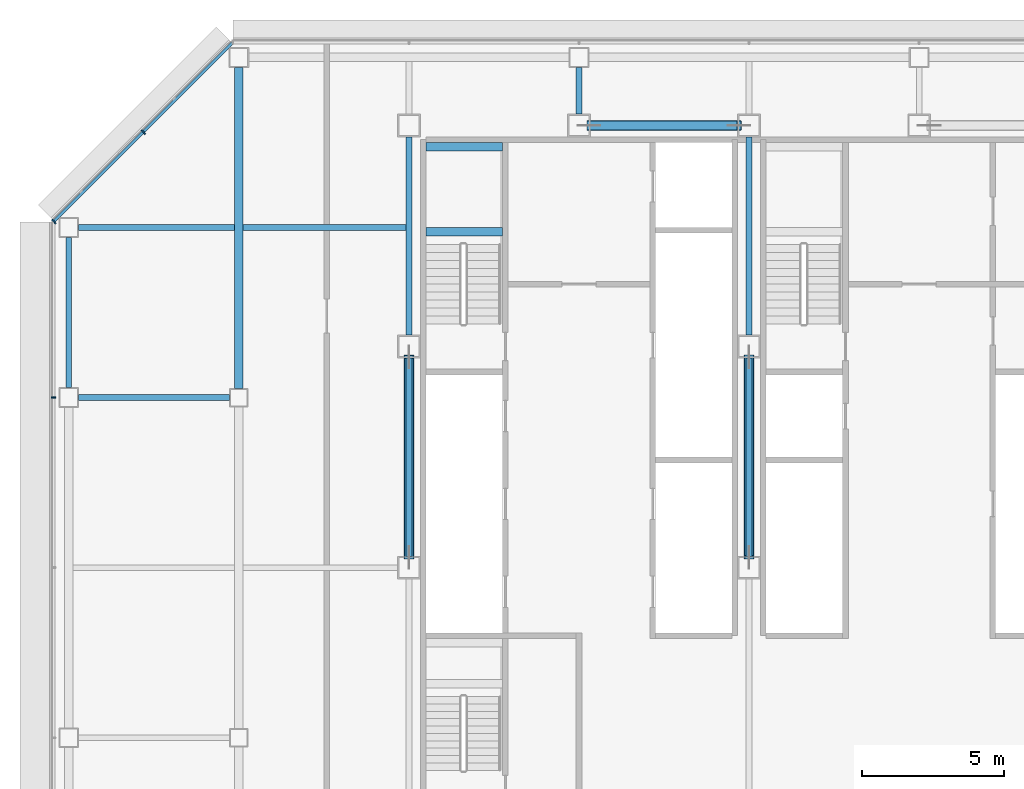
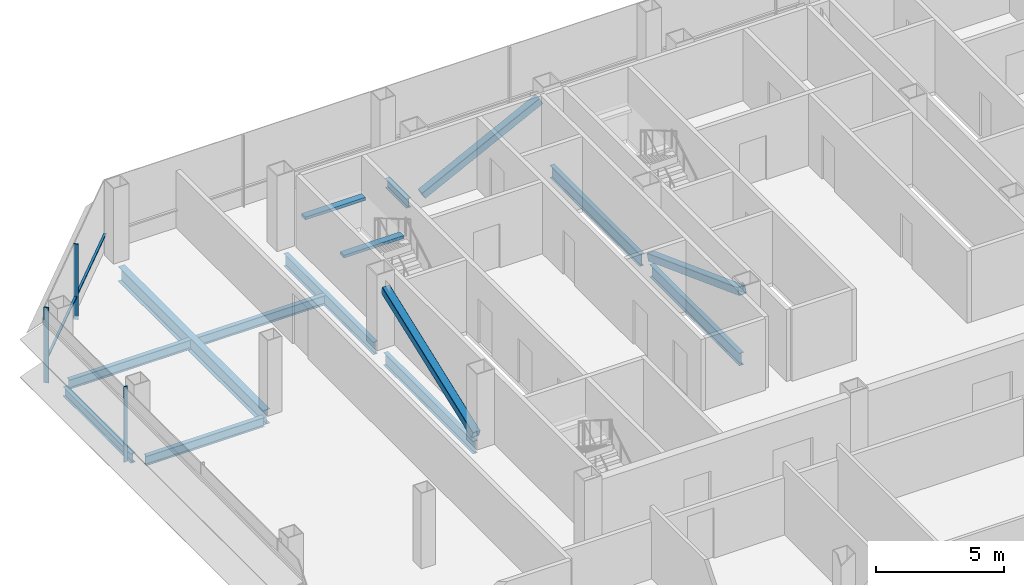
# One storey, part 11 of 26: 12 beams, 7 members, 2 elements without a shape of their own.
"""IFC4 building model written with IfcOpenShell, lengths in metres."""

from ifc_helpers import new_model, si_unit, direction, frame, origin, origin_2d, place, context, subcontext, project, spatial, rectangle, hollow_rectangle, i_section, extrude, material, material_profile, profile_set, type_object, element, aggregate, save


model = new_model("IFC4")

# Units and contexts
model_context = context("Model", 3, precision=1e-05, world=origin(), true_north=direction((0.0, 1.0)))
body_context = subcontext(model_context, "Body", "Model", "MODEL_VIEW")
ifc_project = project(units=[si_unit("LENGTHUNIT", "METRE"), si_unit("AREAUNIT", "SQUARE_METRE"), si_unit("VOLUMEUNIT", "CUBIC_METRE"), si_unit("PLANEANGLEUNIT", "RADIAN"), si_unit("MASSUNIT", "GRAM", prefix="KILO")], contexts=[model_context])

# Site, building, storey
site_placement = place(None, origin())
site = spatial("IfcSite", under=ifc_project, at=site_placement, CompositionType="ELEMENT")
building_placement = place(site_placement, origin())
building = spatial("IfcBuilding", under=site, at=building_placement, Name="Sorahane Residences", CompositionType="ELEMENT")
storey_placement = place(building_placement, frame((0.0, 0.0, 151.0)))
storey = spatial("IfcBuildingStorey", under=building, at=storey_placement, Name="L34", CompositionType="ELEMENT", Elevation=151.0)

# Members
ifc_material_1 = material(Name="Steel Q355B", Category="steel")
ifc_material_profile_1 = material_profile(ifc_material_1, hollow_rectangle(XDim=0.35009765625, YDim=0.35009765625, WallThickness=0.01806640625, InnerFilletRadius=0.009033203125, OuterFilletRadius=0.027099609375, at=origin_2d()), Name="RHS 350x350x18")
ifc_profile_set_1 = profile_set([ifc_material_profile_1], Name="Steel Q355B")
member_type_1 = type_object("IfcMemberType", Name="Core brace RHS 350x350x18 Q355B", PredefinedType="BRACE", material=ifc_profile_set_1)
member_1_placement = place(storey_placement, frame((12.352783203125, 45.60009765625, 0.151123046875), z_axis=(0.893039246852, 0.0, 0.449978781258), x_axis=(0.0, 1.0, 0.0)))
element("IfcMember", 1, at=member_1_placement, inside=storey, type_object=member_type_1, Name="Core brace L34 y45.6-2", PredefinedType="BRACE", context=body_context, shape_type="SweptSolid", body=[
    extrude(hollow_rectangle(XDim=0.35009765625, YDim=0.35009765625, WallThickness=0.01806640625, InnerFilletRadius=0.009033203125, OuterFilletRadius=0.027099609375, at=origin_2d()), origin(), (0.0, 0.0, 1.0), 5.928466796875),
])
for number, where, z_axis, x_axis, name in (
    (2, (6.0, 30.36328125, 0.1611328125), (0.0, 0.936540224974, 0.350560133222), (-1.0, 0.0, 0.0), "Core brace L34 x6-2"),
    (3, (18.0, 37.436767578125, 0.1611328125), (0.0, -0.936540224974, 0.350560133222), (1.0, 0.0, 0.0), "Core brace L34 x18-1"),
):
    element("IfcMember", number, at=place(storey_placement, frame(where, z_axis=z_axis, x_axis=x_axis)), inside=storey, type_object=member_type_1, Name=name, PredefinedType="BRACE", context=body_context, shape_type="SweptSolid", body=[
        extrude(hollow_rectangle(XDim=0.35009765625, YDim=0.35009765625, WallThickness=0.01806640625, InnerFilletRadius=0.009033203125, OuterFilletRadius=0.027099609375, at=origin_2d()), origin(), (0.0, 0.0, 1.0), 7.552734375),
    ])

# Curtain wall, member
ifc_material_2 = material(Name="Dark low-e glass and black anodised aluminium", Category="aluminium")
curtain_wall_type_1 = type_object("IfcCurtainWallType", Name="Curtain wall CW-1 Typical unitised wall", PredefinedType="NOTDEFINED", material=ifc_material_2)
curtain_wall_1_placement = place(storey_placement, origin())
curtain_wall_1 = element("IfcCurtainWall", 4, at=curtain_wall_1_placement, inside=storey, type_object=curtain_wall_type_1, Name="CW-1 curtain wall L34 W1", PredefinedType="NOTDEFINED")
ifc_material_3 = material(Name="Black anodised aluminium", Category="aluminium")
ifc_material_profile_2 = material_profile(ifc_material_3, rectangle(XDim=0.159912109375, YDim=0.050048828125, at=origin_2d()), Name="Curtain wall mullion CW-1 black anodised aluminium 50x160")
ifc_profile_set_2 = profile_set([ifc_material_profile_2], Name="Black anodised aluminium")
member_type_2 = type_object("IfcMemberType", Name="Curtain wall mullion CW-1 black anodised aluminium 50x160", PredefinedType="MULLION", material=ifc_profile_set_2)
member_2_placement = place(storey_placement, frame((-6.5400390625, 36.0, -0.179931640625), z_axis=(0.0, 0.0, 1.0), x_axis=(-1.0, 0.0, 0.0)))
member_2 = element("IfcMember", 5, at=member_2_placement, type_object=member_type_2, Name="CW-1 mullion L34 W1.2", PredefinedType="MULLION", context=body_context, shape_type="SweptSolid", body=[
    extrude(rectangle(XDim=0.159912109375, YDim=0.050048828125, at=origin_2d()), origin(), (0.0, 0.0, 1.0), 3.599853515625),
])
aggregate(curtain_wall_1, [member_2])

# Curtain wall, members
ifc_material_4 = material(Name="Dark low-e glass and black anodised aluminium", Category="aluminium")
curtain_wall_type_2 = type_object("IfcCurtainWallType", Name="Curtain wall CW-2 Chamfer unitised wall", PredefinedType="NOTDEFINED", material=ifc_material_4)
curtain_wall_2_placement = place(storey_placement, origin())
curtain_wall_2 = element("IfcCurtainWall", 6, at=curtain_wall_2_placement, inside=storey, type_object=curtain_wall_type_2, Name="CW-2 curtain wall L34 NW1", PredefinedType="NOTDEFINED")
ifc_material_5 = material(Name="Black anodised aluminium", Category="aluminium")
ifc_material_profile_3 = material_profile(ifc_material_5, rectangle(XDim=0.199951171875, YDim=0.050048828125, at=origin_2d()), Name="Curtain wall mullion CW-2 black anodised aluminium 50x200")
ifc_profile_set_3 = profile_set([ifc_material_profile_3], Name="Black anodised aluminium")
member_type_3 = type_object("IfcMemberType", Name="Curtain wall mullion CW-2 black anodised aluminium 50x200", PredefinedType="MULLION", material=ifc_profile_set_3)
member_3_placement = place(storey_placement, frame((-3.36767578125, 45.36767578125, -0.179931640625), z_axis=(0.0, 0.0, 1.0), x_axis=(-0.707106781187, 0.707106781187, 0.0)))
member_3 = element("IfcMember", 7, at=member_3_placement, type_object=member_type_3, Name="CW-2 mullion L34 NW1.2", PredefinedType="MULLION", context=body_context, shape_type="SweptSolid", body=[
    extrude(rectangle(XDim=0.199951171875, YDim=0.050048828125, at=origin_2d()), origin(), (0.0, 0.0, 1.0), 3.599853515625),
])
member_4_placement = place(storey_placement, frame((-6.525634765625, 42.209716796875, -0.179931640625), z_axis=(0.0, 0.0, 1.0), x_axis=(-0.707106781187, 0.707106781187, 0.0)))
member_4 = element("IfcMember", 8, at=member_4_placement, type_object=member_type_3, Name="CW-2 mullion L34 NW1.3", PredefinedType="MULLION", context=body_context, shape_type="SweptSolid", body=[
    extrude(rectangle(XDim=0.199951171875, YDim=0.050048828125, at=origin_2d()), origin(), (0.0, 0.0, 1.0), 3.599853515625),
])
ifc_material_6 = material(Name="Black anodised aluminium", Category="aluminium")
ifc_material_profile_4 = material_profile(ifc_material_6, rectangle(XDim=0.10009765625, YDim=0.06005859375, at=origin_2d()), Name="Curtain wall transom CW-2 black anodised aluminium 60x100")
ifc_profile_set_4 = profile_set([ifc_material_profile_4], Name="Black anodised aluminium")
member_type_4 = type_object("IfcMemberType", Name="Curtain wall transom CW-2 black anodised aluminium 60x100", PredefinedType="USERDEFINED", material=ifc_profile_set_4)
member_5_placement = place(storey_placement, frame((-0.234375, 48.51513671875, 0.89990234375), z_axis=(-0.707106781187, -0.707106781187, 0.0), x_axis=(0.707106781187, -0.707106781187, 0.0)))
member_5 = element("IfcMember", 9, at=member_5_placement, type_object=member_type_4, Name="CW-2 transom L34 NW1", ObjectType="TRANSOM", PredefinedType="USERDEFINED", context=body_context, shape_type="SweptSolid", body=[
    extrude(rectangle(XDim=0.10009765625, YDim=0.06005859375, at=origin_2d()), origin(), (0.0, 0.0, 1.0), 8.88232421875),
])
aggregate(curtain_wall_2, [member_3, member_4, member_5])

# Beams
ifc_material_7 = material(Name="Concrete C40", Category="concrete")
ifc_material_profile_5 = material_profile(ifc_material_7, rectangle(XDim=0.300048828125, YDim=0.139892578125, at=origin_2d()), Name="300x140")
ifc_profile_set_5 = profile_set([ifc_material_profile_5], Name="Concrete C40")
beam_type_1 = type_object("IfcBeamType", Name="RC landing beam 300 x 140 Concrete C40", PredefinedType="BEAM", material=ifc_profile_set_5)
for number, where, z_axis, x_axis, name in (
    (10, (6.60009765625, 41.85009765625, 1.530029296875), (1.0, 0.0, 0.0), (0.0, 1.0, 0.0), "Landing beam"),
    (11, (6.60009765625, 44.85009765625, 1.530029296875), (1.0, 0.0, 0.0), (0.0, 1.0, 0.0), "Landing beam"),
):
    element("IfcBeam", number, at=place(storey_placement, frame(where, z_axis=z_axis, x_axis=x_axis)), inside=storey, type_object=beam_type_1, Name=name, PredefinedType="BEAM", context=body_context, shape_type="SweptSolid", body=[
        extrude(rectangle(XDim=0.300048828125, YDim=0.139892578125, at=origin_2d()), origin(), (0.0, 0.0, 1.0), 2.699951171875),
    ])
ifc_material_8 = material(Name="Steel Q355B", Category="steel")
ifc_material_profile_6 = material_profile(ifc_material_8, i_section(OverallWidth=0.199951171875, OverallDepth=0.449951171875, WebThickness=0.009033203125, FlangeThickness=0.013916015625, FilletRadius=0.02001953125, at=origin_2d()), Name="HN 450x200x9x14")
ifc_profile_set_6 = profile_set([ifc_material_profile_6], Name="Steel Q355B")
beam_type_2 = type_object("IfcBeamType", Name="Steel floor beam HN 450x200x9x14 Q355B", PredefinedType="BEAM", material=ifc_profile_set_6)
beam_1_placement = place(storey_placement, frame((-5.64990234375, 36.0, -0.405029296875), z_axis=(1.0, 0.0, 0.0), x_axis=(0.0, 1.0, 0.0)))
element("IfcBeam", 12, at=beam_1_placement, inside=storey, type_object=beam_type_2, Name="Beam L34 013", PredefinedType="BEAM", context=body_context, shape_type="SweptSolid", body=[
    extrude(i_section(OverallWidth=0.199951171875, OverallDepth=0.449951171875, WebThickness=0.009033203125, FlangeThickness=0.013916015625, FilletRadius=0.02001953125, at=origin_2d()), origin(), (0.0, 0.0, 1.0), 5.324951171875),
])
beam_2_placement = place(storey_placement, frame((-6.0, 36.35009765625, -0.405029296875), z_axis=(0.0, 1.0, 0.0), x_axis=(-1.0, 0.0, 0.0)))
element("IfcBeam", 13, at=beam_2_placement, inside=storey, type_object=beam_type_2, Name="Beam L34 023", PredefinedType="BEAM", context=body_context, shape_type="SweptSolid", body=[
    extrude(i_section(OverallWidth=0.199951171875, OverallDepth=0.449951171875, WebThickness=0.009033203125, FlangeThickness=0.013916015625, FilletRadius=0.02001953125, at=origin_2d()), origin(), (0.0, 0.0, 1.0), 5.2998046875),
])
beam_3_placement = place(storey_placement, frame((12.0, 46.0, -0.405029296875), z_axis=(0.0, 1.0, 0.0), x_axis=(-1.0, 0.0, 0.0)))
element("IfcBeam", 14, at=beam_3_placement, inside=storey, type_object=beam_type_2, Name="Beam L34 035", PredefinedType="BEAM", context=body_context, shape_type="SweptSolid", body=[
    extrude(i_section(OverallWidth=0.199951171875, OverallDepth=0.449951171875, WebThickness=0.009033203125, FlangeThickness=0.013916015625, FilletRadius=0.02001953125, at=origin_2d()), origin(), (0.0, 0.0, 1.0), 1.64990234375),
])
beam_4_placement = place(storey_placement, frame((-5.64990234375, 42.0, -0.405029296875), z_axis=(1.0, 0.0, 0.0), x_axis=(0.0, 1.0, 0.0)))
element("IfcBeam", 15, at=beam_4_placement, inside=storey, type_object=beam_type_2, Name="Beam L34 089", PredefinedType="BEAM", context=body_context, shape_type="SweptSolid", body=[
    extrude(i_section(OverallWidth=0.199951171875, OverallDepth=0.449951171875, WebThickness=0.009033203125, FlangeThickness=0.013916015625, FilletRadius=0.02001953125, at=origin_2d()), origin(), (0.0, 0.0, 1.0), 5.5),
])
beam_5_placement = place(storey_placement, frame((0.14990234375, 42.0, -0.405029296875), z_axis=(1.0, 0.0, 0.0), x_axis=(0.0, 1.0, 0.0)))
element("IfcBeam", 16, at=beam_5_placement, inside=storey, type_object=beam_type_2, Name="Beam L34 090", PredefinedType="BEAM", context=body_context, shape_type="SweptSolid", body=[
    extrude(i_section(OverallWidth=0.199951171875, OverallDepth=0.449951171875, WebThickness=0.009033203125, FlangeThickness=0.013916015625, FilletRadius=0.02001953125, at=origin_2d()), origin(), (0.0, 0.0, 1.0), 5.75),
])
ifc_material_9 = material(Name="Steel Q355B", Category="steel")
ifc_material_profile_7 = material_profile(ifc_material_9, i_section(OverallWidth=0.199951171875, OverallDepth=0.60009765625, WebThickness=0.010986328125, FlangeThickness=0.01708984375, FilletRadius=0.02392578125, at=origin_2d()), Name="HN 600x200x11x17")
ifc_profile_set_7 = profile_set([ifc_material_profile_7], Name="Steel Q355B")
beam_type_3 = type_object("IfcBeamType", Name="Steel floor beam HN 600x200x11x17 Q355B", PredefinedType="BEAM", material=ifc_profile_set_7)
for number, where, z_axis, x_axis, name in (
    (17, (6.0, 30.39990234375, -0.47998046875), (0.0, 1.0, 0.0), (-1.0, 0.0, 0.0), "Beam L34 031"),
    (18, (6.0, 38.199951171875, -0.47998046875), (0.0, 1.0, 0.0), (-1.0, 0.0, 0.0), "Beam L34 032"),
    (19, (18.0, 30.39990234375, -0.47998046875), (0.0, 1.0, 0.0), (-1.0, 0.0, 0.0), "Beam L34 039"),
    (20, (18.0, 38.199951171875, -0.47998046875), (0.0, 1.0, 0.0), (-1.0, 0.0, 0.0), "Beam L34 040"),
):
    element("IfcBeam", number, at=place(storey_placement, frame(where, z_axis=z_axis, x_axis=x_axis)), inside=storey, type_object=beam_type_3, Name=name, PredefinedType="BEAM", context=body_context, shape_type="SweptSolid", body=[
        extrude(i_section(OverallWidth=0.199951171875, OverallDepth=0.60009765625, WebThickness=0.010986328125, FlangeThickness=0.01708984375, FilletRadius=0.02392578125, at=origin_2d()), origin(), (0.0, 0.0, 1.0), 7.0),
    ])
ifc_material_10 = material(Name="Steel Q355B", Category="steel")
ifc_material_profile_8 = material_profile(ifc_material_10, i_section(OverallWidth=0.300048828125, OverallDepth=0.699951171875, WebThickness=0.012939453125, FlangeThickness=0.02392578125, FilletRadius=0.028076171875, at=origin_2d()), Name="HN 700x300x13x24")
ifc_profile_set_8 = profile_set([ifc_material_profile_8], Name="Steel Q355B")
beam_type_4 = type_object("IfcBeamType", Name="Steel floor beam HN 700x300x13x24 Q355B", PredefinedType="BEAM", material=ifc_profile_set_8)
beam_6_placement = place(storey_placement, frame((0.0, 36.324951171875, -0.530029296875), z_axis=(0.0, 1.0, 0.0), x_axis=(-1.0, 0.0, 0.0)))
element("IfcBeam", 21, at=beam_6_placement, inside=storey, type_object=beam_type_4, Name="Beam L34 027", PredefinedType="BEAM", context=body_context, shape_type="SweptSolid", body=[
    extrude(i_section(OverallWidth=0.300048828125, OverallDepth=0.699951171875, WebThickness=0.012939453125, FlangeThickness=0.02392578125, FilletRadius=0.028076171875, at=origin_2d()), origin(), (0.0, 0.0, 1.0), 11.324951171875),
])

save(model, "model.ifc")
